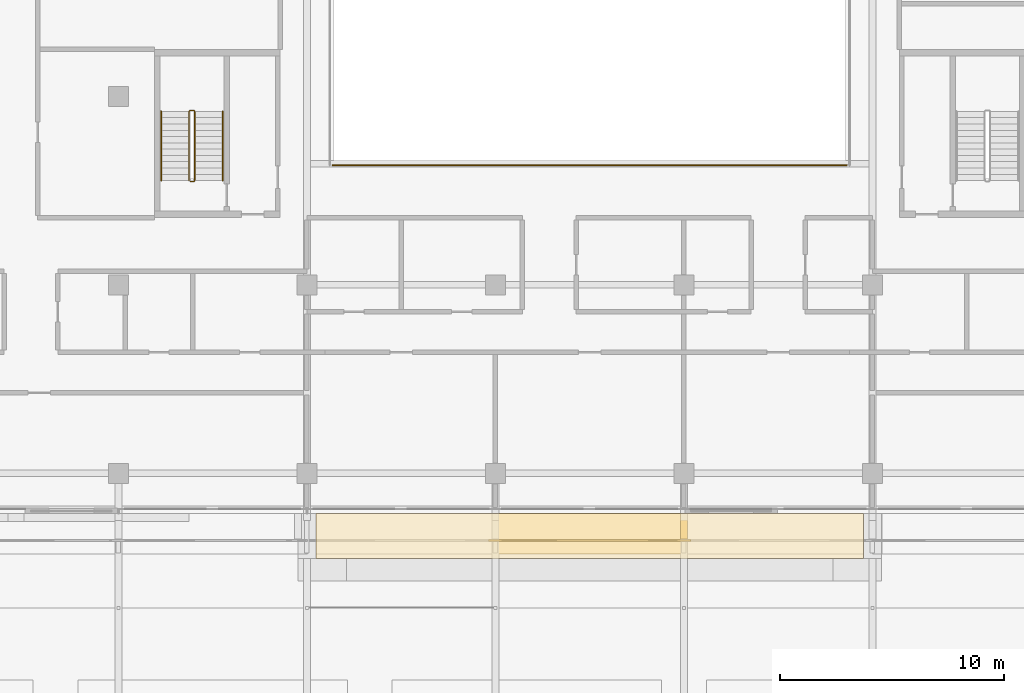
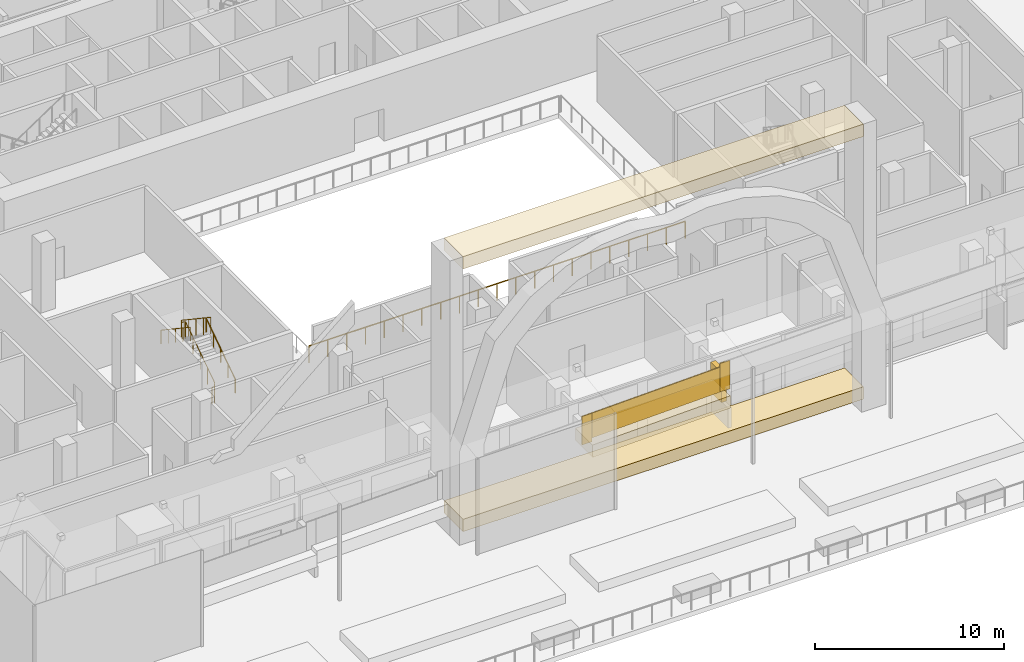
# One storey, part 35 of 60: 7 railings, 4 coverings.
"""IFC4 building model written with IfcOpenShell, lengths in metres."""

from ifc_helpers import new_model, si_unit, direction, frame, origin, origin_2d, place, context, subcontext, project, spatial, polyline, rectangle, circle, outline, extrude, material, layer, layer_set, type_object, element, save


model = new_model("IFC4")

# Units and contexts
model_context = context("Model", 3, precision=1e-05, world=origin(), true_north=direction((0.0, 1.0)))
body_context = subcontext(model_context, "Body", "Model", "MODEL_VIEW")
ifc_project = project(units=[si_unit("LENGTHUNIT", "METRE"), si_unit("AREAUNIT", "SQUARE_METRE"), si_unit("VOLUMEUNIT", "CUBIC_METRE"), si_unit("PLANEANGLEUNIT", "RADIAN"), si_unit("MASSUNIT", "GRAM", prefix="KILO")], contexts=[model_context])

# Site, building, storey
site_placement = place(None, origin())
site = spatial("IfcSite", under=ifc_project, at=site_placement, CompositionType="ELEMENT")
building_placement = place(site_placement, origin())
building = spatial("IfcBuilding", under=site, at=building_placement, Name="Saffron Gate Tower", CompositionType="ELEMENT")
storey_placement = place(building_placement, frame((0.0, 0.0, 19.199951171875)))
storey = spatial("IfcBuildingStorey", under=building, at=storey_placement, Name="L03", CompositionType="ELEMENT", Elevation=19.199951171875)

# Railings
ifc_material_1 = material(Name="Stainless steel and laminated glass", Category="steel")
railing_type_1 = type_object("IfcRailingType", Name="AG1 Atrium edge guard 1100", PredefinedType="GUARDRAIL", material=ifc_material_1)
railing_1_placement = place(storey_placement, frame((99.06005859375, 45.5400390625, 0.0)))
element("IfcRailing", 1, at=railing_1_placement, inside=storey, type_object=railing_type_1, Name="Guard S1-4", PredefinedType="GUARDRAIL", context=body_context, shape_type="SweptSolid", body=[
    extrude(circle(Radius=0.02392578125, at=origin_2d()), frame((0.0, 0.0, 1.076171875), z_axis=(-1.0, 0.0, 0.0), x_axis=(0.0, -1.0, 0.0)), (0.0, 0.0, 1.0), 22.920166015625),
    extrude(circle(Radius=0.02099609375, at=origin_2d()), origin(), (0.0, 0.0, 1.0), 1.052001953125),
    extrude(circle(Radius=0.02099609375, at=origin_2d()), frame((-1.14599609375, 0.0, 0.0)), (0.0, 0.0, 1.0), 1.052001953125),
    extrude(circle(Radius=0.02099609375, at=origin_2d()), frame((-2.2919921875, 0.0, 0.0)), (0.0, 0.0, 1.0), 1.052001953125),
    extrude(circle(Radius=0.02099609375, at=origin_2d()), frame((-3.43798828125, 0.0, 0.0)), (0.0, 0.0, 1.0), 1.052001953125),
    extrude(circle(Radius=0.02099609375, at=origin_2d()), frame((-4.583984375, 0.0, 0.0)), (0.0, 0.0, 1.0), 1.052001953125),
    extrude(circle(Radius=0.02099609375, at=origin_2d()), frame((-5.72998046875, 0.0, 0.0)), (0.0, 0.0, 1.0), 1.052001953125),
    extrude(circle(Radius=0.02099609375, at=origin_2d()), frame((-6.8759765625, 0.0, 0.0)), (0.0, 0.0, 1.0), 1.052001953125),
    extrude(circle(Radius=0.02099609375, at=origin_2d()), frame((-8.02197265625, 0.0, 0.0)), (0.0, 0.0, 1.0), 1.052001953125),
    extrude(circle(Radius=0.02099609375, at=origin_2d()), frame((-9.16796875, 0.0, 0.0)), (0.0, 0.0, 1.0), 1.052001953125),
    extrude(circle(Radius=0.02099609375, at=origin_2d()), frame((-10.31396484375, 0.0, 0.0)), (0.0, 0.0, 1.0), 1.052001953125),
    extrude(circle(Radius=0.02099609375, at=origin_2d()), frame((-11.4599609375, 0.0, 0.0)), (0.0, 0.0, 1.0), 1.052001953125),
    extrude(circle(Radius=0.02099609375, at=origin_2d()), frame((-12.606201171875, 0.0, 0.0)), (0.0, 0.0, 1.0), 1.052001953125),
    extrude(circle(Radius=0.02099609375, at=origin_2d()), frame((-13.752197265625, 0.0, 0.0)), (0.0, 0.0, 1.0), 1.052001953125),
    extrude(circle(Radius=0.02099609375, at=origin_2d()), frame((-14.898193359375, 0.0, 0.0)), (0.0, 0.0, 1.0), 1.052001953125),
    extrude(circle(Radius=0.02099609375, at=origin_2d()), frame((-16.044189453125, 0.0, 0.0)), (0.0, 0.0, 1.0), 1.052001953125),
    extrude(circle(Radius=0.02099609375, at=origin_2d()), frame((-17.190185546875, 0.0, 0.0)), (0.0, 0.0, 1.0), 1.052001953125),
    extrude(circle(Radius=0.02099609375, at=origin_2d()), frame((-18.336181640625, 0.0, 0.0)), (0.0, 0.0, 1.0), 1.052001953125),
    extrude(circle(Radius=0.02099609375, at=origin_2d()), frame((-19.482177734375, 0.0, 0.0)), (0.0, 0.0, 1.0), 1.052001953125),
    extrude(circle(Radius=0.02099609375, at=origin_2d()), frame((-20.628173828125, 0.0, 0.0)), (0.0, 0.0, 1.0), 1.052001953125),
    extrude(circle(Radius=0.02099609375, at=origin_2d()), frame((-21.774169921875, 0.0, 0.0)), (0.0, 0.0, 1.0), 1.052001953125),
    extrude(circle(Radius=0.02099609375, at=origin_2d()), frame((-22.920166015625, 0.0, 0.0)), (0.0, 0.0, 1.0), 1.052001953125),
])
railing_type_2 = type_object("IfcRailingType", Name="CR1 Stair guard 1100", PredefinedType="GUARDRAIL", material=ifc_material_1)
railing_2_placement = place(storey_placement, frame((69.800048828125, 44.800048828125, 0.0)))
element("IfcRailing", 2, at=railing_2_placement, inside=storey, type_object=railing_type_2, Name="L03 ST-D stair guard 1", PredefinedType="GUARDRAIL", context=body_context, shape_type="SweptSolid", body=[
    extrude(circle(Radius=0.02392578125, at=origin_2d()), frame((0.0, 0.0, 1.076171875), z_axis=(1.0, 0.0, 0.0), x_axis=(0.0, 1.0, 0.0)), (0.0, 0.0, 1.0), 0.14990234375),
    extrude(circle(Radius=0.02392578125, at=origin_2d()), frame((0.14990234375, 0.0, 1.076171875), z_axis=(0.249726431254, 0.249726431254, 0.935560483917), x_axis=(-0.707106781187, 0.707106781187, 0.0)), (0.0, 0.0, 1.0), 0.200439453125),
    extrude(circle(Radius=0.02392578125, at=origin_2d()), frame((0.199951171875, 0.050048828125, 1.263671875), z_axis=(0.0, 0.830893310487, 0.556431762742), x_axis=(-1.0, 0.0, 0.0)), (0.0, 0.0, 1.0), 3.70654296875),
    extrude(circle(Radius=0.02392578125, at=origin_2d()), frame((0.199951171875, 3.1298828125, 3.326171875), z_axis=(-0.707106781187, 0.707106781187, 0.0), x_axis=(-0.707106781187, -0.707106781187, 0.0)), (0.0, 0.0, 1.0), 0.07080078125),
    extrude(circle(Radius=0.02392578125, at=origin_2d()), frame((0.14990234375, 3.179931640625, 3.326171875), z_axis=(-1.0, 0.0, 0.0), x_axis=(0.0, -1.0, 0.0)), (0.0, 0.0, 1.0), 0.14990234375),
    extrude(circle(Radius=0.02392578125, at=origin_2d()), frame((0.0, 3.179931640625, 3.326171875), z_axis=(-0.249726431254, -0.249726431254, 0.935560483917), x_axis=(0.707106781187, -0.707106781187, 0.0)), (0.0, 0.0, 1.0), 0.200439453125),
    extrude(circle(Radius=0.02392578125, at=origin_2d()), frame((-0.050048828125, 3.1298828125, 3.513671875), z_axis=(0.0, -0.830893310487, 0.556431762742), x_axis=(1.0, 0.0, 0.0)), (0.0, 0.0, 1.0), 3.70654296875),
    extrude(circle(Radius=0.02099609375, at=origin_2d()), origin(), (0.0, 0.0, 1.0), 1.052001953125),
    extrude(circle(Radius=0.02099609375, at=origin_2d()), frame((0.14990234375, 0.0, 0.0)), (0.0, 0.0, 1.0), 1.052001953125),
    extrude(circle(Radius=0.02099609375, at=origin_2d()), frame((0.199951171875, 0.050048828125, 0.1875)), (0.0, 0.0, 1.0), 1.052001953125),
    extrude(circle(Radius=0.02099609375, at=origin_2d()), frame((0.199951171875, 0.820068359375, 0.703125)), (0.0, 0.0, 1.0), 1.052001953125),
    extrude(circle(Radius=0.02099609375, at=origin_2d()), frame((0.199951171875, 1.58984375, 1.21875)), (0.0, 0.0, 1.0), 1.052001953125),
    extrude(circle(Radius=0.02099609375, at=origin_2d()), frame((0.199951171875, 2.35986328125, 1.734375)), (0.0, 0.0, 1.0), 1.052001953125),
    extrude(circle(Radius=0.02099609375, at=origin_2d()), frame((0.199951171875, 3.1298828125, 2.25)), (0.0, 0.0, 1.0), 1.052001953125),
    extrude(circle(Radius=0.02099609375, at=origin_2d()), frame((0.14990234375, 3.179931640625, 2.25)), (0.0, 0.0, 1.0), 1.052001953125),
    extrude(circle(Radius=0.02099609375, at=origin_2d()), frame((0.0, 3.179931640625, 2.25)), (0.0, 0.0, 1.0), 1.052001953125),
    extrude(circle(Radius=0.02099609375, at=origin_2d()), frame((-0.050048828125, 3.1298828125, 2.4375)), (0.0, 0.0, 1.0), 1.052001953125),
    extrude(circle(Radius=0.02099609375, at=origin_2d()), frame((-0.050048828125, 2.35986328125, 2.953125)), (0.0, 0.0, 1.0), 1.052001953125),
    extrude(circle(Radius=0.02099609375, at=origin_2d()), frame((-0.050048828125, 1.58984375, 3.46875)), (0.0, 0.0, 1.0), 1.052001953125),
    extrude(circle(Radius=0.02099609375, at=origin_2d()), frame((-0.050048828125, 0.820068359375, 3.984375)), (0.0, 0.0, 1.0), 1.052001953125),
    extrude(circle(Radius=0.02099609375, at=origin_2d()), frame((-0.050048828125, 0.050048828125, 4.5)), (0.0, 0.0, 1.0), 1.052001953125),
])
ifc_material_2 = material(Name="Stainless steel", Category="steel")
railing_type_3 = type_object("IfcRailingType", Name="CR2 Stair handrail 900", PredefinedType="HANDRAIL", material=ifc_material_2)
railing_3_placement = place(storey_placement, frame((71.25, 44.85009765625, 0.1875)))
element("IfcRailing", 3, at=railing_3_placement, inside=storey, type_object=railing_type_3, Name="L03 ST-D stair handrail 1", PredefinedType="HANDRAIL", context=body_context, shape_type="SweptSolid", body=[
    extrude(circle(Radius=0.02392578125, at=origin_2d()), frame((0.0, 0.0, 0.8759765625), z_axis=(0.0, 0.830893310487, 0.556431762742), x_axis=(-1.0, 0.0, 0.0)), (0.0, 0.0, 1.0), 3.70654296875),
    extrude(circle(Radius=0.02099609375, at=origin_2d()), origin(), (0.0, 0.0, 1.0), 0.851806640625),
    extrude(circle(Radius=0.02099609375, at=origin_2d()), frame((0.0, 0.77001953125, 0.515625)), (0.0, 0.0, 1.0), 0.851806640625),
    extrude(circle(Radius=0.02099609375, at=origin_2d()), frame((0.0, 1.5400390625, 1.03125)), (0.0, 0.0, 1.0), 0.851806640625),
    extrude(circle(Radius=0.02099609375, at=origin_2d()), frame((0.0, 2.309814453125, 1.546875)), (0.0, 0.0, 1.0), 0.851806640625),
    extrude(circle(Radius=0.02099609375, at=origin_2d()), frame((0.0, 3.079833984375, 2.0625)), (0.0, 0.0, 1.0), 0.851806640625),
])
railing_4_placement = place(storey_placement, frame((68.5, 47.929931640625, 2.4375)))
element("IfcRailing", 4, at=railing_4_placement, inside=storey, type_object=railing_type_3, Name="L03 ST-D stair handrail 2", PredefinedType="HANDRAIL", context=body_context, shape_type="SweptSolid", body=[
    extrude(circle(Radius=0.02392578125, at=origin_2d()), frame((0.0, 0.0, 0.8759765625), z_axis=(0.0, -0.830893310487, 0.556431762742), x_axis=(1.0, 0.0, 0.0)), (0.0, 0.0, 1.0), 3.70654296875),
    extrude(circle(Radius=0.02099609375, at=origin_2d()), origin(), (0.0, 0.0, 1.0), 0.851806640625),
    extrude(circle(Radius=0.02099609375, at=origin_2d()), frame((0.0, -0.77001953125, 0.515625)), (0.0, 0.0, 1.0), 0.851806640625),
    extrude(circle(Radius=0.02099609375, at=origin_2d()), frame((0.0, -1.5400390625, 1.03125)), (0.0, 0.0, 1.0), 0.851806640625),
    extrude(circle(Radius=0.02099609375, at=origin_2d()), frame((0.0, -2.309814453125, 1.546875)), (0.0, 0.0, 1.0), 0.851806640625),
    extrude(circle(Radius=0.02099609375, at=origin_2d()), frame((0.0, -3.079833984375, 2.0625)), (0.0, 0.0, 1.0), 0.851806640625),
])

# Coverings
ifc_material_3 = material(Name="Ceramic-printed bronze insulated panel")
ifc_layer_1 = layer(ifc_material_3, 0.800048828125)
ifc_layer_set_1 = layer_set([ifc_layer_1], Name="FN1 atrium fin")
covering_type_1 = type_object("IfcCoveringType", Name="FN1 atrium fin", PredefinedType="CLADDING", material=ifc_layer_set_1)
covering_1_placement = place(storey_placement, origin())
element("IfcCovering", 5, at=covering_1_placement, inside=storey, type_object=covering_type_1, Name="CLADDING atrium lintel fin", PredefinedType="CLADDING", context=body_context, shape_type="SweptSolid", body=[
    extrude(outline(polyline([(75.39990234375, 30.0), (99.800048828125, 30.0), (99.800048828125, 28.0), (75.39990234375, 28.0), (75.39990234375, 30.0)])), origin(), (0.0, 0.0, 1.0), 0.800048828125),
])
covering_2_placement = place(storey_placement, frame((0.0, 0.0, 16.920166015625)))
element("IfcCovering", 6, at=covering_2_placement, inside=storey, type_object=covering_type_1, Name="CLADDING atrium lintel fin", PredefinedType="CLADDING", context=body_context, shape_type="SweptSolid", body=[
    extrude(outline(polyline([(75.39990234375, 30.0), (99.800048828125, 30.0), (99.800048828125, 28.0), (75.39990234375, 28.0), (75.39990234375, 30.0)])), origin(), (0.0, 0.0, 1.0), 0.7998046875),
])
ifc_material_4 = material(Name="Timber, thermally modified ash", Category="wood")
ifc_layer_2 = layer(ifc_material_4, 0.800048828125)
ifc_layer_set_2 = layer_set([ifc_layer_2], Name="LD1 ledge timber")
covering_type_2 = type_object("IfcCoveringType", Name="LD1 ledge timber", PredefinedType="CLADDING", material=ifc_layer_set_2)
covering_3_placement = place(storey_placement, frame((83.39990234375, 30.0, 2.6572265625), z_axis=(-0.028790339263, 0.0, 0.999585472266), x_axis=(0.999585472266, 0.0, 0.028790339263)))
element("IfcCovering", 7, at=covering_3_placement, inside=storey, type_object=covering_type_2, Name="LEDGE", PredefinedType="CLADDING", context=body_context, shape_type="SweptSolid", body=[
    extrude(outline(polyline([(0.0, 0.0), (8.403630022085892, 0.0), (8.403630022085892, -1.800048828125), (0.0, -1.800048828125), (0.0, 0.0)])), origin(), (0.0, 0.0, -1.0), 0.800048828125),
])
ifc_layer_3 = layer(ifc_material_4, 0.300048828125)
ifc_layer_set_3 = layer_set([ifc_layer_3], Name="LD3 ledge riser fin")
covering_type_3 = type_object("IfcCoveringType", Name="LD3 ledge riser fin", PredefinedType="CLADDING", material=ifc_layer_set_3)
covering_4_placement = place(storey_placement, frame((91.800048828125, 29.43994140625, 2.099365234375), z_axis=(0.0, 0.0, 1.0), x_axis=(1.0, 0.0, 0.0)))
element("IfcCovering", 8, at=covering_4_placement, inside=storey, type_object=covering_type_3, Name="LEDGE riser fin", PredefinedType="CLADDING", context=body_context, shape_type="SweptSolid", body=[
    extrude(rectangle(XDim=0.300048828125, YDim=1.1201171875, at=origin_2d()), origin(), (0.0, 0.0, 1.0), 1.93115234375),
])

# Railings
railing_type_4 = type_object("IfcRailingType", Name="LG1 ledge balustrade", PredefinedType="BALUSTRADE", material=ifc_material_4)
railing_5_placement = place(storey_placement, frame((83.39990234375, 28.800048828125, 2.6572265625)))
element("IfcRailing", 9, at=railing_5_placement, inside=storey, type_object=railing_type_4, Name="LEDGE BALUSTRADE", PredefinedType="BALUSTRADE", context=body_context, shape_type="SweptSolid", body=[
    extrude(rectangle(XDim=0.06005859375, YDim=1.60009765625, at=origin_2d()), frame((0.0, 0.0, 0.800048828125), z_axis=(0.999585472266, 0.0, 0.028790339263), x_axis=(0.0, 1.0, 0.0)), (0.0, 0.0, 1.0), 8.403564453125),
])
railing_6_placement = place(storey_placement, frame((83.10009765625, 28.800048828125, 2.42626953125)))
element("IfcRailing", 10, at=railing_6_placement, inside=storey, type_object=railing_type_4, Name="LEDGE BALUSTRADE", PredefinedType="BALUSTRADE", context=body_context, shape_type="SweptSolid", body=[
    extrude(rectangle(XDim=0.06005859375, YDim=1.8310546875, at=origin_2d()), frame((0.0, 0.0, 0.91552734375), z_axis=(1.0, 0.0, 0.0), x_axis=(0.0, 1.0, 0.0)), (0.0, 0.0, 1.0), 0.599853515625),
])
railing_7_placement = place(storey_placement, frame((91.5, 28.800048828125, 2.899169921875)))
element("IfcRailing", 11, at=railing_7_placement, inside=storey, type_object=railing_type_4, Name="LEDGE BALUSTRADE", PredefinedType="BALUSTRADE", context=body_context, shape_type="SweptSolid", body=[
    extrude(rectangle(XDim=0.06005859375, YDim=1.8310546875, at=origin_2d()), frame((0.0, 0.0, 0.91552734375), z_axis=(1.0, 0.0, 0.0), x_axis=(0.0, 1.0, 0.0)), (0.0, 0.0, 1.0), 0.60009765625),
])

save(model, "model.ifc")
